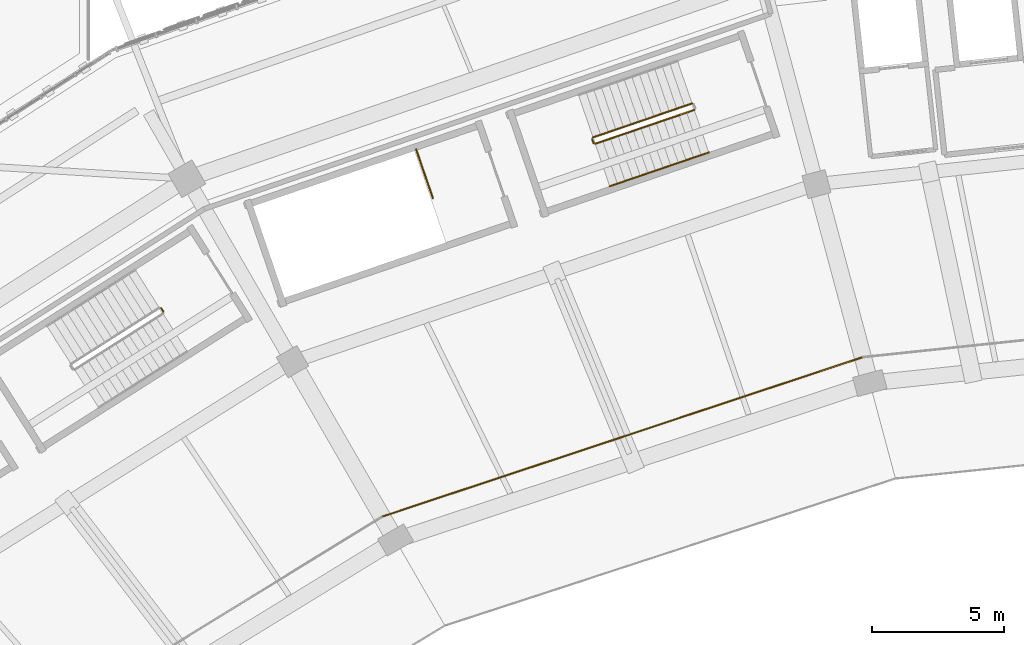
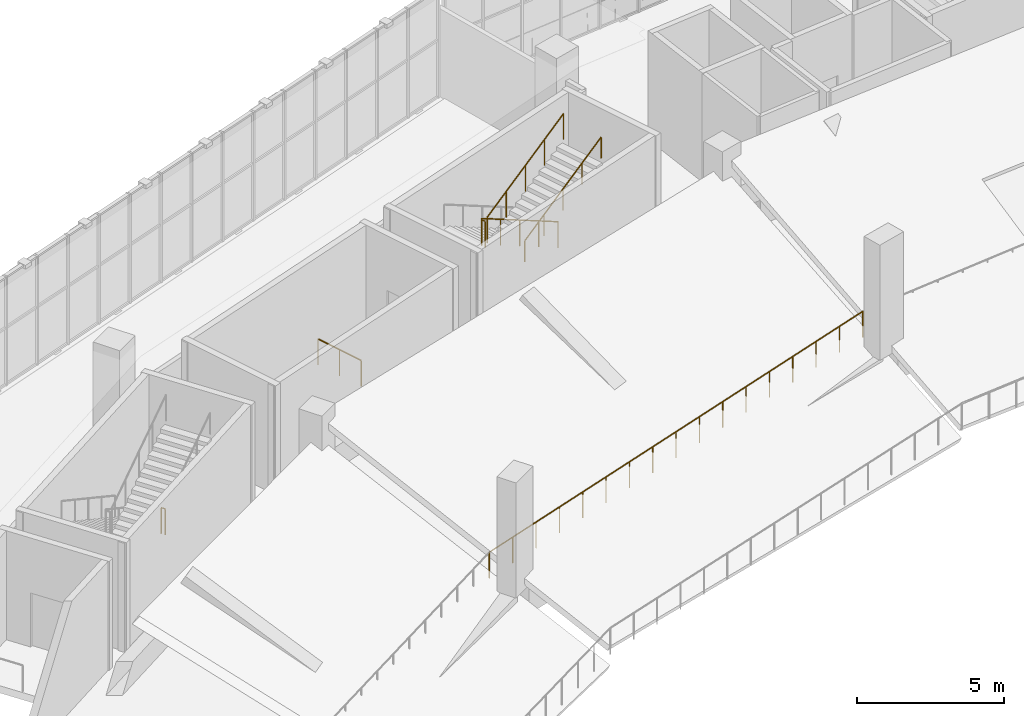
# One storey, part 143 of 152: 7 railings.
"""IFC4 building model written with IfcOpenShell, lengths in metres."""

import ifcopenshell
import ifcopenshell.guid

model = None  # the IFC model being written
_history = None  # IfcOwnerHistory: only IFC2X3 demands one
_inside = {}  # id of a spatial element -> (the spatial element, [elements in it])
_under = {}  # id of a project, library or spatial element -> (it, [spatial elements below it])
_declared = {}  # id of a project -> (the project, [libraries it declares])
_typed = {}  # id of a type object -> (the type object, [elements of that type])
_made_of = {}  # id of a material, layer set ... -> (it, [elements and type objects made of it])


def new_model(schema):
    """Start an empty IFC model of exactly this schema.

    Asked for "IFC4X3", IfcOpenShell would pick the latest addendum, in which some entities
    have other attributes; the version numbers below select the first issue.
    IFC2X3 requires an IfcOwnerHistory on every rooted entity: one is made here for all.
    """
    global model, _history
    if schema == "IFC4X3":
        model = ifcopenshell.file(schema_version=(4, 3, 0, 0))
    else:
        model = ifcopenshell.file(schema=schema)
    _inside.clear()
    _under.clear()
    _declared.clear()
    _typed.clear()
    _made_of.clear()
    _history = None
    if model.schema == "IFC2X3":
        org = make("IfcOrganization", Name="unknown")
        user = make(
            "IfcPersonAndOrganization",
            ThePerson=make("IfcPerson", FamilyName="unknown"),
            TheOrganization=org,
        )
        app = make(
            "IfcApplication",
            ApplicationDeveloper=org,
            Version="unknown",
            ApplicationFullName="unknown",
            ApplicationIdentifier="unknown",
        )
        _history = make(
            "IfcOwnerHistory",
            OwningUser=user,
            OwningApplication=app,
            ChangeAction="ADDED",
            CreationDate=0,
        )
    return model


def make(cls, **values):
    """One entity of the class cls with the attributes given. An attribute that is None is left unset."""
    return model.create_entity(
        cls, **{name: value for name, value in values.items() if value is not None}
    )


def rooted(cls, **values):
    """An entity with a GlobalId (a new one), such as an element, a storey or a relation."""
    return make(cls, GlobalId=ifcopenshell.guid.new(), OwnerHistory=_history, **values)


def si_unit(unit_type, name, prefix=None):
    """IfcSIUnit, for example si_unit("LENGTHUNIT", "METRE", prefix="MILLI")."""
    return make("IfcSIUnit", UnitType=unit_type, Prefix=prefix, Name=name)


def assignment(units):
    """IfcUnitAssignment: the units of a project."""
    return None if units is None else make("IfcUnitAssignment", Units=units)


def point(xyz):
    """IfcCartesianPoint."""
    return None if xyz is None else make("IfcCartesianPoint", Coordinates=xyz)


def direction(xyz):
    """IfcDirection."""
    return None if xyz is None else make("IfcDirection", DirectionRatios=xyz)


def frame(location, z_axis=None, x_axis=None):
    """IfcAxis2Placement3D, a coordinate frame: its origin and axes. An axis left out is left unset."""
    return make(
        "IfcAxis2Placement3D",
        Location=point(location),
        Axis=direction(z_axis),
        RefDirection=direction(x_axis),
    )


def frame_2d(location, x_axis=None):
    """IfcAxis2Placement2D, a coordinate frame in the plane: its origin and x axis."""
    return make(
        "IfcAxis2Placement2D", Location=point(location), RefDirection=direction(x_axis)
    )


def origin():
    """The frame at (0, 0, 0) with its axes left unset."""
    return frame((0.0, 0.0, 0.0))


def origin_2d():
    """The frame at (0, 0) in the plane with its x axis left unset."""
    return frame_2d((0.0, 0.0))


def place(relative_to, where):
    """IfcLocalPlacement: puts the frame where relative to a parent placement (None: the world)."""
    return make(
        "IfcLocalPlacement", PlacementRelTo=relative_to, RelativePlacement=where
    )


def context(
    kind, dimensions, precision=None, world=None, true_north=None, identifier=None
):
    """IfcGeometricRepresentationContext, for example the 3D "Model" context."""
    return make(
        "IfcGeometricRepresentationContext",
        ContextIdentifier=identifier,
        ContextType=kind,
        CoordinateSpaceDimension=dimensions,
        Precision=precision,
        WorldCoordinateSystem=world,
        TrueNorth=true_north,
    )


def subcontext(parent, identifier, kind, view, scale=None):
    """IfcGeometricRepresentationSubContext, for example "Body" below "Model"."""
    return make(
        "IfcGeometricRepresentationSubContext",
        ContextIdentifier=identifier,
        ContextType=kind,
        ParentContext=parent,
        TargetScale=scale,
        TargetView=view,
    )


def project(units=None, contexts=None):
    """IfcProject with its units and contexts."""
    return rooted(
        "IfcProject",
        Name="project",
        RepresentationContexts=contexts,
        UnitsInContext=assignment(units),
    )


def spatial(cls, under=None, at=None, **own):
    """A site, building, storey or space (cls), placed at a placement, below another one or the project."""
    s = rooted(cls, ObjectPlacement=at, **own)
    if under is not None:
        _under.setdefault(under.id(), (under, []))[1].append(s)
    return s


def profile(cls, at=None, kind="AREA", **sizes):
    """A parametric profile (cls). Its sizes go by their IFC names, for example OverallWidth=200.0."""
    return make(cls, ProfileType=kind, Position=at, **sizes)


def circle(**sizes):
    """IfcCircleProfileDef."""
    return profile("IfcCircleProfileDef", **sizes)


def extrude(swept, where, along, depth):
    """IfcExtrudedAreaSolid: the profile swept, set in the frame where, extruded along a direction by depth."""
    return make(
        "IfcExtrudedAreaSolid",
        SweptArea=swept,
        Position=where,
        ExtrudedDirection=direction(along),
        Depth=depth,
    )


def shape(context_of_items, identifier, shape_type, items):
    """IfcShapeRepresentation: the items that make up one representation, for example the "Body"."""
    return make(
        "IfcShapeRepresentation",
        ContextOfItems=context_of_items,
        RepresentationIdentifier=identifier,
        RepresentationType=shape_type,
        Items=items,
    )


def material(Name=None, Category=None):
    """IfcMaterial."""
    return make("IfcMaterial", Name=Name, Category=Category)


def made_of(thing, what):
    """Note that an element or type object is made of a material, layer set ...; save() writes the relation."""
    if what is not None:
        _made_of.setdefault(what.id(), (what, []))[1].append(thing)
    return thing


def type_object(cls, material=None, **own):
    """A type object (cls), such as IfcWallType, which elements share."""
    return made_of(rooted(cls, **own), material)


def element(
    cls,
    number,
    at=None,
    inside=None,
    cuts=None,
    type_object=None,
    material=None,
    context=None,
    identifier="Body",
    shape_type=None,
    held_by="IfcProductDefinitionShape",
    body=None,
    shapes=None,
    **own,
):
    """One element of the class cls, such as IfcWall. Its Tag is "e" and its number.

    at: its placement. inside: the storey or other place that contains it. cuts: it is an
    opening in that element (IfcRelVoidsElement). A single representation is given by context,
    identifier, shape_type and body (its items); several are given by shapes. held_by: the class
    of the entity that holds the representations. save() writes the other relations.
    """
    e = rooted(cls, Tag="e%d" % number, ObjectPlacement=at, **own)
    if body is not None:
        shapes = [shape(context, identifier, shape_type, body)]
    if shapes is not None:
        e.Representation = make(held_by, Representations=shapes)
    if inside is not None:
        _inside.setdefault(inside.id(), (inside, []))[1].append(e)
    if cuts is not None:
        rooted(
            "IfcRelVoidsElement", RelatingBuildingElement=cuts, RelatedOpeningElement=e
        )
    if type_object is not None:
        _typed.setdefault(type_object.id(), (type_object, []))[1].append(e)
    return made_of(e, material)


def aggregate(whole, parts):
    """IfcRelAggregates: a whole, such as a stair, and the parts it consists of."""
    return rooted("IfcRelAggregates", RelatingObject=whole, RelatedObjects=parts)


def save(model, path):
    """Write the relations noted so far, then the file.

    IfcRelAggregates (storeys below a building ...), IfcRelContainedInSpatialStructure (elements
    in a storey), IfcRelDefinesByType, IfcRelAssociatesMaterial and IfcRelDeclares: one each for
    every whole, place, type object, material and project.
    """
    for whole, parts in _under.values():
        aggregate(whole, parts)
    for where, things in _inside.values():
        rooted(
            "IfcRelContainedInSpatialStructure",
            RelatedElements=things,
            RelatingStructure=where,
        )
    for kind, things in _typed.values():
        rooted("IfcRelDefinesByType", RelatedObjects=things, RelatingType=kind)
    for what, things in _made_of.values():
        rooted("IfcRelAssociatesMaterial", RelatedObjects=things, RelatingMaterial=what)
    for by, libraries in _declared.values():
        rooted("IfcRelDeclares", RelatingContext=by, RelatedDefinitions=libraries)
    model.write(path)


model = new_model("IFC4")

# Units and contexts
model_context = context("Model", 3, precision=1e-05, world=origin(), true_north=direction((0.0, 1.0)))
body_context = subcontext(model_context, "Body", "Model", "MODEL_VIEW")
ifc_project = project(units=[si_unit("LENGTHUNIT", "METRE"), si_unit("AREAUNIT", "SQUARE_METRE"), si_unit("VOLUMEUNIT", "CUBIC_METRE"), si_unit("PLANEANGLEUNIT", "RADIAN"), si_unit("MASSUNIT", "GRAM", prefix="KILO")], contexts=[model_context])

# Site, building, storey
site_placement = place(None, origin())
site = spatial("IfcSite", under=ifc_project, at=site_placement, CompositionType="ELEMENT")
building_placement = place(site_placement, origin())
building = spatial("IfcBuilding", under=site, at=building_placement, Name="Zevraka Park Crest Stadium", CompositionType="ELEMENT")
storey_placement = place(building_placement, frame((0.0, 0.0, 15.0)))
storey = spatial("IfcBuildingStorey", under=building, at=storey_placement, Name="L03", CompositionType="ELEMENT", Elevation=15.0)

# Railings
ifc_material_1 = material(Name="Galvanised and bronze-finished steel balustrade", Category="steel")
railing_type_1 = type_object("IfcRailingType", Name="GR01", PredefinedType="GUARDRAIL", material=ifc_material_1)
railing_1_placement = place(storey_placement, frame((92.4541015625, 150.45703125, 0.0)))
element("IfcRailing", 1, at=railing_1_placement, inside=storey, type_object=railing_type_1, Name="Deck Edge Protection Guardrail GR01 L03-73", PredefinedType="GUARDRAIL", context=body_context, shape_type="SweptSolid", body=[
    extrude(circle(Radius=0.02392578125, at=origin_2d()), frame((0.0, 0.0, 1.076171875), z_axis=(-0.949110095164, -0.314944482818, 0.0), x_axis=(0.314944482818, -0.949110095164, 0.0)), (0.0, 0.0, 1.0), 19.18115234375),
    extrude(circle(Radius=0.02099609375, at=origin_2d()), origin(), (0.0, 0.0, 1.0), 1.052001953125),
    extrude(circle(Radius=0.02099609375, at=origin_2d()), frame((-1.1376953125, -0.37744140625, 0.0)), (0.0, 0.0, 1.0), 1.052001953125),
    extrude(circle(Radius=0.02099609375, at=origin_2d()), frame((-2.275634765625, -0.755126953125, 0.0)), (0.0, 0.0, 1.0), 1.052001953125),
    extrude(circle(Radius=0.02099609375, at=origin_2d()), frame((-3.41357421875, -1.1328125, 0.0)), (0.0, 0.0, 1.0), 1.052001953125),
    extrude(circle(Radius=0.02099609375, at=origin_2d()), frame((-4.55126953125, -1.51025390625, 0.0)), (0.0, 0.0, 1.0), 1.052001953125),
    extrude(circle(Radius=0.02099609375, at=origin_2d()), frame((-5.68896484375, -1.8876953125, 0.0)), (0.0, 0.0, 1.0), 1.052001953125),
    extrude(circle(Radius=0.02099609375, at=origin_2d()), frame((-6.826904296875, -2.265380859375, 0.0)), (0.0, 0.0, 1.0), 1.052001953125),
    extrude(circle(Radius=0.02099609375, at=origin_2d()), frame((-7.96484375, -2.64306640625, 0.0)), (0.0, 0.0, 1.0), 1.052001953125),
    extrude(circle(Radius=0.02099609375, at=origin_2d()), frame((-9.1025390625, -3.0205078125, 0.0)), (0.0, 0.0, 1.0), 1.052001953125),
    extrude(circle(Radius=0.02099609375, at=origin_2d()), frame((-10.240234375, -3.39794921875, 0.0)), (0.0, 0.0, 1.0), 1.052001953125),
    extrude(circle(Radius=0.02099609375, at=origin_2d()), frame((-11.378173828125, -3.775634765625, 0.0)), (0.0, 0.0, 1.0), 1.052001953125),
    extrude(circle(Radius=0.02099609375, at=origin_2d()), frame((-12.51611328125, -4.1533203125, 0.0)), (0.0, 0.0, 1.0), 1.052001953125),
    extrude(circle(Radius=0.02099609375, at=origin_2d()), frame((-13.65380859375, -4.53076171875, 0.0)), (0.0, 0.0, 1.0), 1.052001953125),
    extrude(circle(Radius=0.02099609375, at=origin_2d()), frame((-14.79150390625, -4.908203125, 0.0)), (0.0, 0.0, 1.0), 1.052001953125),
    extrude(circle(Radius=0.02099609375, at=origin_2d()), frame((-15.929443359375, -5.285888671875, 0.0)), (0.0, 0.0, 1.0), 1.052001953125),
    extrude(circle(Radius=0.02099609375, at=origin_2d()), frame((-17.0673828125, -5.66357421875, 0.0)), (0.0, 0.0, 1.0), 1.052001953125),
    extrude(circle(Radius=0.02099609375, at=origin_2d()), frame((-18.205078125, -6.041015625, 0.0)), (0.0, 0.0, 1.0), 1.052001953125),
])
ifc_material_2 = material(Name="Powder-coated tubular steel stairwell guard", Category="steel")
railing_type_2 = type_object("IfcRailingType", Name="GR03", PredefinedType="GUARDRAIL", material=ifc_material_2)
railing_2_placement = place(storey_placement, frame((85.98388671875, 160.0634765625, 0.17138671875)))
element("IfcRailing", 2, at=railing_2_placement, inside=storey, type_object=railing_type_2, Name="L03 ST08 stair guard 1", PredefinedType="GUARDRAIL", context=body_context, shape_type="SweptSolid", body=[
    extrude(circle(Radius=0.02392578125, at=origin_2d()), frame((0.0, 0.0, 1.076171875), z_axis=(-0.824726794133, -0.282441418206, 0.489951589772), x_axis=(0.32399372979, -0.946059228091, 0.0)), (0.0, 0.0, 1.0), 4.54833984375),
    extrude(circle(Radius=0.02099609375, at=origin_2d()), origin(), (0.0, 0.0, 1.0), 1.052001953125),
    extrude(circle(Radius=0.02099609375, at=origin_2d()), frame((-0.937744140625, -0.3212890625, 0.55712890625)), (0.0, 0.0, 1.0), 1.052001953125),
    extrude(circle(Radius=0.02099609375, at=origin_2d()), frame((-1.87548828125, -0.642333984375, 1.1142578125)), (0.0, 0.0, 1.0), 1.052001953125),
    extrude(circle(Radius=0.02099609375, at=origin_2d()), frame((-2.8134765625, -0.96337890625, 1.67138671875)), (0.0, 0.0, 1.0), 1.052001953125),
    extrude(circle(Radius=0.02099609375, at=origin_2d()), frame((-3.751220703125, -1.28466796875, 2.228515625)), (0.0, 0.0, 1.0), 1.052001953125),
])
railing_3_placement = place(storey_placement, frame((82.201416015625, 158.71533203125, 2.39990234375)))
element("IfcRailing", 3, at=railing_3_placement, inside=storey, type_object=railing_type_2, Name="L03 ST08 stair guard 2", PredefinedType="GUARDRAIL", context=body_context, shape_type="SweptSolid", body=[
    extrude(circle(Radius=0.02392578125, at=origin_2d()), frame((0.0, 0.0, 1.076171875), z_axis=(0.324909238665, -0.945745201748, 0.0), x_axis=(0.945745201748, 0.324909238665, 0.0)), (0.0, 0.0, 1.0), 0.16015625),
    extrude(circle(Radius=0.02099609375, at=origin_2d()), origin(), (0.0, 0.0, 1.0), 1.052001953125),
    extrude(circle(Radius=0.02099609375, at=origin_2d()), frame((0.052001953125, -0.1513671875, 0.0)), (0.0, 0.0, 1.0), 1.052001953125),
])
railing_4_placement = place(storey_placement, frame((82.31689453125, 158.532958984375, 2.571533203125)))
element("IfcRailing", 4, at=railing_4_placement, inside=storey, type_object=railing_type_2, Name="L03 ST08 stair guard 3", PredefinedType="GUARDRAIL", context=body_context, shape_type="SweptSolid", body=[
    extrude(circle(Radius=0.02392578125, at=origin_2d()), frame((0.0, 0.0, 1.076171875), z_axis=(0.824739296281, 0.282392023283, 0.489959017016), x_axis=(-0.323938619155, 0.946078099852, 0.0)), (0.0, 0.0, 1.0), 4.54833984375),
    extrude(circle(Radius=0.02099609375, at=origin_2d()), origin(), (0.0, 0.0, 1.0), 1.052001953125),
    extrude(circle(Radius=0.02099609375, at=origin_2d()), frame((0.937744140625, 0.321044921875, 0.55712890625)), (0.0, 0.0, 1.0), 1.052001953125),
    extrude(circle(Radius=0.02099609375, at=origin_2d()), frame((1.87548828125, 0.64208984375, 1.1142578125)), (0.0, 0.0, 1.0), 1.052001953125),
    extrude(circle(Radius=0.02099609375, at=origin_2d()), frame((2.8134765625, 0.96337890625, 1.67138671875)), (0.0, 0.0, 1.0), 1.052001953125),
    extrude(circle(Radius=0.02099609375, at=origin_2d()), frame((3.751220703125, 1.284423828125, 2.228515625)), (0.0, 0.0, 1.0), 1.052001953125),
])
railing_5_placement = place(storey_placement, frame((65.87451171875, 152.3095703125, 0.0)))
element("IfcRailing", 5, at=railing_5_placement, inside=storey, type_object=railing_type_2, Name="L03 ST09 stair guard 4", PredefinedType="GUARDRAIL", context=body_context, shape_type="SweptSolid", body=[
    extrude(circle(Radius=0.02392578125, at=origin_2d()), frame((0.0, 0.0, 1.076171875), z_axis=(0.535887230789, -0.844289568736, 0.0), x_axis=(0.844289568736, 0.535887230789, 0.0)), (0.0, 0.0, 1.0), 0.159912109375),
    extrude(circle(Radius=0.02099609375, at=origin_2d()), origin(), (0.0, 0.0, 1.0), 1.052001953125),
    extrude(circle(Radius=0.02099609375, at=origin_2d()), frame((0.085693359375, -0.135009765625, 0.0)), (0.0, 0.0, 1.0), 1.052001953125),
])
railing_6_placement = place(storey_placement, frame((75.530029296875, 158.334228515625, 0.0)))
element("IfcRailing", 6, at=railing_6_placement, inside=storey, type_object=railing_type_2, Name="L03 ST27 top well guard 1", PredefinedType="GUARDRAIL", context=body_context, shape_type="SweptSolid", body=[
    extrude(circle(Radius=0.02392578125, at=origin_2d()), frame((0.0, 0.0, 1.076171875), z_axis=(0.323989920405, -0.94606053267, 0.0), x_axis=(0.94606053267, 0.323989920405, 0.0)), (0.0, 0.0, 1.0), 1.9599609375),
    extrude(circle(Radius=0.02099609375, at=origin_2d()), origin(), (0.0, 0.0, 1.0), 1.052001953125),
    extrude(circle(Radius=0.02099609375, at=origin_2d()), frame((0.3173828125, -0.92724609375, 0.0)), (0.0, 0.0, 1.0), 1.052001953125),
    extrude(circle(Radius=0.02099609375, at=origin_2d()), frame((0.635009765625, -1.854248046875, 0.0)), (0.0, 0.0, 1.0), 1.052001953125),
])
ifc_material_3 = material(Name="Brushed stainless steel continuous handrail", Category="steel")
railing_type_3 = type_object("IfcRailingType", Name="HR01", PredefinedType="HANDRAIL", material=ifc_material_3)
railing_7_placement = place(storey_placement, frame((82.86767578125, 156.924560546875, 2.571533203125)))
element("IfcRailing", 7, at=railing_7_placement, inside=storey, type_object=railing_type_3, Name="L03 ST08 stair handrail 2", PredefinedType="HANDRAIL", context=body_context, shape_type="SweptSolid", body=[
    extrude(circle(Radius=0.02392578125, at=origin_2d()), frame((0.0, 0.0, 0.8759765625), z_axis=(0.824726794133, 0.282441418206, 0.489951589772), x_axis=(-0.32399372979, 0.946059228091, 0.0)), (0.0, 0.0, 1.0), 4.54833984375),
    extrude(circle(Radius=0.02099609375, at=origin_2d()), origin(), (0.0, 0.0, 1.0), 0.851806640625),
    extrude(circle(Radius=0.02099609375, at=origin_2d()), frame((0.937744140625, 0.3212890625, 0.55712890625)), (0.0, 0.0, 1.0), 0.851806640625),
    extrude(circle(Radius=0.02099609375, at=origin_2d()), frame((1.87548828125, 0.642333984375, 1.1142578125)), (0.0, 0.0, 1.0), 0.851806640625),
    extrude(circle(Radius=0.02099609375, at=origin_2d()), frame((2.8134765625, 0.96337890625, 1.67138671875)), (0.0, 0.0, 1.0), 0.851806640625),
    extrude(circle(Radius=0.02099609375, at=origin_2d()), frame((3.751220703125, 1.28466796875, 2.228515625)), (0.0, 0.0, 1.0), 0.851806640625),
])

save(model, "model.ifc")
